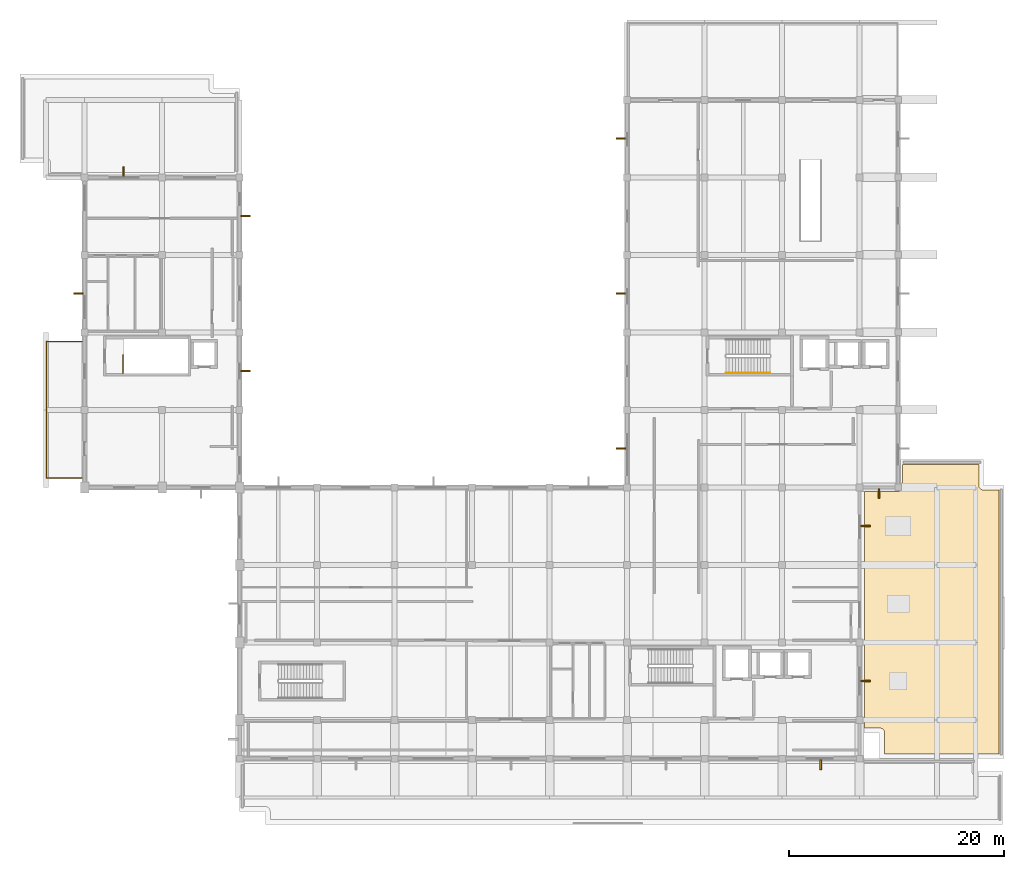
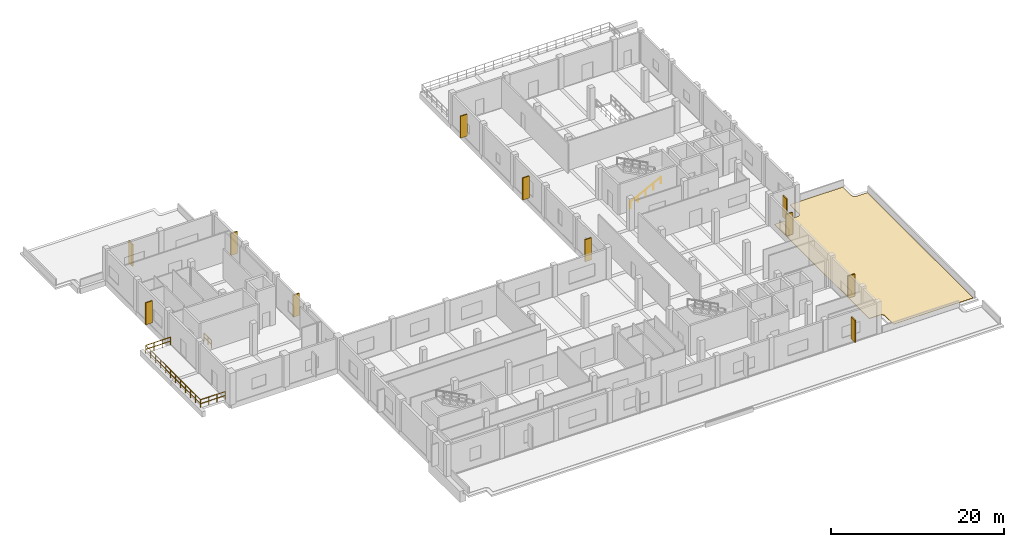
# One storey, part 14 of 16: 11 shading devices, 5 railings, 1 covering.
"""IFC4 building model written with IfcOpenShell, lengths in metres."""

from ifc_helpers import new_model, si_unit, direction, frame, origin, origin_2d, place, context, subcontext, project, spatial, polyline, rectangle, circle, outline, extrude, material, layer, layer_set, type_object, element, save


model = new_model("IFC4")

# Units and contexts
model_context = context("Model", 3, precision=1e-05, world=origin(), true_north=direction((0.0, 1.0)))
body_context = subcontext(model_context, "Body", "Model", "MODEL_VIEW")
ifc_project = project(units=[si_unit("LENGTHUNIT", "METRE"), si_unit("AREAUNIT", "SQUARE_METRE"), si_unit("VOLUMEUNIT", "CUBIC_METRE"), si_unit("PLANEANGLEUNIT", "RADIAN"), si_unit("MASSUNIT", "GRAM", prefix="KILO")], contexts=[model_context])

# Site, building, storey
site_placement = place(None, origin())
site = spatial("IfcSite", under=ifc_project, at=site_placement, CompositionType="ELEMENT")
building_placement = place(site_placement, origin())
building = spatial("IfcBuilding", under=site, at=building_placement, Name="Seraya Terrace Polytechnic", CompositionType="ELEMENT")
storey_placement = place(building_placement, frame((0.0, 0.0, 23.39990234375)))
storey = spatial("IfcBuildingStorey", under=building, at=storey_placement, Name="L05", CompositionType="ELEMENT", Elevation=23.39990234375)

# Shading devices
ifc_material_1 = material(Name="Precast concrete C40/50", Category="concrete")
shading_device_type = type_object("IfcShadingDeviceType", Name="BS-F1", PredefinedType="JALOUSIE", material=ifc_material_1)
for number, where, z_axis, x_axis, name in (
    (1, (97.199951171875, 3.0400390625, 0.449951171875), (0.0, 0.0, 1.0), (0.0, -1.0, 0.0), "Precast concrete brise-soleil fin L05"),
    (2, (78.639892578125, 32.39990234375, 0.449951171875), (0.0, 0.0, 1.0), (-1.0, 0.0, 0.0), "Precast concrete brise-soleil fin L05"),
    (3, (78.639892578125, 46.800048828125, 0.449951171875), (0.0, 0.0, 1.0), (-1.0, 0.0, 0.0), "Precast concrete brise-soleil fin L05"),
    (4, (78.639892578125, 61.199951171875, 0.449951171875), (0.0, 0.0, 1.0), (-1.0, 0.0, 0.0), "Precast concrete brise-soleil fin L05"),
    (5, (102.60009765625, 28.239990234375, 0.449951171875), (0.0, 0.0, 1.0), (0.0, -1.0, 0.0), "Precast concrete brise-soleil fin L05"),
    (6, (101.360107421875, 25.199951171875, 0.449951171875), (0.0, 0.0, 1.0), (1.0, 0.0, 0.0), "Precast concrete brise-soleil fin L05"),
    (7, (101.360107421875, 10.800048828125, 0.449951171875), (0.0, 0.0, 1.0), (1.0, 0.0, 0.0), "Precast concrete brise-soleil fin L05"),
    (8, (32.39990234375, 58.159912109375, 0.449951171875), (0.0, 0.0, 1.0), (0.0, 1.0, 0.0), "Precast concrete brise-soleil fin L05"),
    (9, (43.760009765625, 54.0, 0.449951171875), (0.0, 0.0, 1.0), (1.0, 0.0, 0.0), "Precast concrete brise-soleil fin L05"),
    (10, (43.760009765625, 39.60009765625, 0.449951171875), (0.0, 0.0, 1.0), (1.0, 0.0, 0.0), "Precast concrete brise-soleil fin L05"),
    (11, (28.239990234375, 46.800048828125, 0.449951171875), (0.0, 0.0, 1.0), (-1.0, 0.0, 0.0), "Precast concrete brise-soleil fin L05"),
):
    element("IfcShadingDevice", number, at=place(storey_placement, frame(where, z_axis=z_axis, x_axis=x_axis)), inside=storey, type_object=shading_device_type, Name=name, PredefinedType="JALOUSIE", context=body_context, shape_type="SweptSolid", body=[
        extrude(rectangle(XDim=0.89990234375, YDim=0.14990234375, at=origin_2d()), origin(), (0.0, 0.0, 1.0), 3.10009765625),
    ])

# Railings
ifc_material_2 = material(Name="Steel S355J2", Category="steel")
railing_type_1 = type_object("IfcRailingType", Name="GR-01", PredefinedType="GUARDRAIL", material=ifc_material_2)
railing_1_placement = place(storey_placement, frame((25.260009765625, 29.659912109375, 0.0)))
element("IfcRailing", 12, at=railing_1_placement, inside=storey, type_object=railing_type_1, Name="Terrace perimeter guardrail TERR-L05-W S1", PredefinedType="GUARDRAIL", context=body_context, shape_type="SweptSolid", body=[
    extrude(circle(Radius=0.02392578125, at=origin_2d()), frame((0.0, 0.0, 1.10595703125), z_axis=(1.0, 0.0, 0.0), x_axis=(0.0, 1.0, 0.0)), (0.0, 0.0, 1.0), 3.300048828125),
    extrude(circle(Radius=0.02392578125, at=origin_2d()), frame((0.0, 0.0, 0.550048828125), z_axis=(1.0, 0.0, 0.0), x_axis=(0.0, 1.0, 0.0)), (0.0, 0.0, 1.0), 3.300048828125),
    extrude(circle(Radius=0.02099609375, at=origin_2d()), origin(), (0.0, 0.0, 1.0), 1.081787109375),
    extrude(circle(Radius=0.02099609375, at=origin_2d()), frame((1.10009765625, 0.0, 0.0)), (0.0, 0.0, 1.0), 1.081787109375),
    extrude(circle(Radius=0.02099609375, at=origin_2d()), frame((2.199951171875, 0.0, 0.0)), (0.0, 0.0, 1.0), 1.081787109375),
    extrude(circle(Radius=0.02099609375, at=origin_2d()), frame((3.300048828125, 0.0, 0.0)), (0.0, 0.0, 1.0), 1.081787109375),
])
railing_2_placement = place(storey_placement, frame((28.56005859375, 42.340087890625, 0.0)))
element("IfcRailing", 13, at=railing_2_placement, inside=storey, type_object=railing_type_1, Name="Terrace perimeter guardrail TERR-L05-W N1", PredefinedType="GUARDRAIL", context=body_context, shape_type="SweptSolid", body=[
    extrude(circle(Radius=0.02392578125, at=origin_2d()), frame((0.0, 0.0, 1.10595703125), z_axis=(-1.0, 0.0, 0.0), x_axis=(0.0, -1.0, 0.0)), (0.0, 0.0, 1.0), 3.300048828125),
    extrude(circle(Radius=0.02392578125, at=origin_2d()), frame((0.0, 0.0, 0.550048828125), z_axis=(-1.0, 0.0, 0.0), x_axis=(0.0, -1.0, 0.0)), (0.0, 0.0, 1.0), 3.300048828125),
    extrude(circle(Radius=0.02099609375, at=origin_2d()), origin(), (0.0, 0.0, 1.0), 1.081787109375),
    extrude(circle(Radius=0.02099609375, at=origin_2d()), frame((-1.10009765625, 0.0, 0.0)), (0.0, 0.0, 1.0), 1.081787109375),
    extrude(circle(Radius=0.02099609375, at=origin_2d()), frame((-2.199951171875, 0.0, 0.0)), (0.0, 0.0, 1.0), 1.081787109375),
    extrude(circle(Radius=0.02099609375, at=origin_2d()), frame((-3.300048828125, 0.0, 0.0)), (0.0, 0.0, 1.0), 1.081787109375),
])
railing_3_placement = place(storey_placement, frame((25.260009765625, 42.340087890625, 0.0)))
element("IfcRailing", 14, at=railing_3_placement, inside=storey, type_object=railing_type_1, Name="Terrace perimeter guardrail TERR-L05-W W1", PredefinedType="GUARDRAIL", context=body_context, shape_type="SweptSolid", body=[
    extrude(circle(Radius=0.02392578125, at=origin_2d()), frame((0.0, 0.0, 1.10595703125), z_axis=(0.0, -1.0, 0.0), x_axis=(1.0, 0.0, 0.0)), (0.0, 0.0, 1.0), 12.68017578125),
    extrude(circle(Radius=0.02392578125, at=origin_2d()), frame((0.0, 0.0, 0.550048828125), z_axis=(0.0, -1.0, 0.0), x_axis=(1.0, 0.0, 0.0)), (0.0, 0.0, 1.0), 12.68017578125),
    extrude(circle(Radius=0.02099609375, at=origin_2d()), origin(), (0.0, 0.0, 1.0), 1.081787109375),
    extrude(circle(Radius=0.02099609375, at=origin_2d()), frame((0.0, -1.15283203125, 0.0)), (0.0, 0.0, 1.0), 1.081787109375),
    extrude(circle(Radius=0.02099609375, at=origin_2d()), frame((0.0, -2.305419921875, 0.0)), (0.0, 0.0, 1.0), 1.081787109375),
    extrude(circle(Radius=0.02099609375, at=origin_2d()), frame((0.0, -3.458251953125, 0.0)), (0.0, 0.0, 1.0), 1.081787109375),
    extrude(circle(Radius=0.02099609375, at=origin_2d()), frame((0.0, -4.611083984375, 0.0)), (0.0, 0.0, 1.0), 1.081787109375),
    extrude(circle(Radius=0.02099609375, at=origin_2d()), frame((0.0, -5.763671875, 0.0)), (0.0, 0.0, 1.0), 1.081787109375),
    extrude(circle(Radius=0.02099609375, at=origin_2d()), frame((0.0, -6.91650390625, 0.0)), (0.0, 0.0, 1.0), 1.081787109375),
    extrude(circle(Radius=0.02099609375, at=origin_2d()), frame((0.0, -8.069091796875, 0.0)), (0.0, 0.0, 1.0), 1.081787109375),
    extrude(circle(Radius=0.02099609375, at=origin_2d()), frame((0.0, -9.221923828125, 0.0)), (0.0, 0.0, 1.0), 1.081787109375),
    extrude(circle(Radius=0.02099609375, at=origin_2d()), frame((0.0, -10.374755859375, 0.0)), (0.0, 0.0, 1.0), 1.081787109375),
    extrude(circle(Radius=0.02099609375, at=origin_2d()), frame((0.0, -11.52734375, 0.0)), (0.0, 0.0, 1.0), 1.081787109375),
    extrude(circle(Radius=0.02099609375, at=origin_2d()), frame((0.0, -12.68017578125, 0.0)), (0.0, 0.0, 1.0), 1.081787109375),
])
railing_type_2 = type_object("IfcRailingType", Name="GR-02", PredefinedType="GUARDRAIL", material=ifc_material_2)
railing_4_placement = place(storey_placement, frame((32.35009765625, 39.39990234375, 0.0)))
element("IfcRailing", 15, at=railing_4_placement, inside=storey, type_object=railing_type_2, Name="L05 ST-04 top well guard 1", PredefinedType="GUARDRAIL", context=body_context, shape_type="SweptSolid", body=[
    extrude(circle(Radius=0.02392578125, at=origin_2d()), frame((0.0, 0.0, 1.10595703125), z_axis=(0.0, 1.0, 0.0), x_axis=(-1.0, 0.0, 0.0)), (0.0, 0.0, 1.0), 1.7001953125),
    extrude(circle(Radius=0.02392578125, at=origin_2d()), frame((0.0, 0.0, 0.550048828125), z_axis=(0.0, 1.0, 0.0), x_axis=(-1.0, 0.0, 0.0)), (0.0, 0.0, 1.0), 1.7001953125),
    extrude(circle(Radius=0.02099609375, at=origin_2d()), origin(), (0.0, 0.0, 1.0), 1.081787109375),
    extrude(circle(Radius=0.02099609375, at=origin_2d()), frame((0.0, 0.85009765625, 0.0)), (0.0, 0.0, 1.0), 1.081787109375),
    extrude(circle(Radius=0.02099609375, at=origin_2d()), frame((0.0, 1.7001953125, 0.0)), (0.0, 0.0, 1.0), 1.081787109375),
])
railing_type_3 = type_object("IfcRailingType", Name="HR-01", PredefinedType="HANDRAIL", material=ifc_material_2)
railing_5_placement = place(storey_placement, frame((88.39990234375, 39.449951171875, 0.150146484375)))
element("IfcRailing", 16, at=railing_5_placement, inside=storey, type_object=railing_type_3, Name="L05 ST-02 stair handrail 1", PredefinedType="HANDRAIL", context=body_context, shape_type="SweptSolid", body=[
    extrude(circle(Radius=0.02392578125, at=origin_2d()), frame((0.0, 0.0, 0.8759765625), z_axis=(0.888233425583, 0.0, 0.459392404897), x_axis=(0.0, 1.0, 0.0)), (0.0, 0.0, 1.0), 4.571044921875),
    extrude(circle(Radius=0.02099609375, at=origin_2d()), origin(), (0.0, 0.0, 1.0), 0.851806640625),
    extrude(circle(Radius=0.02099609375, at=origin_2d()), frame((1.01513671875, 0.0, 0.52490234375)), (0.0, 0.0, 1.0), 0.851806640625),
    extrude(circle(Radius=0.02099609375, at=origin_2d()), frame((2.030029296875, 0.0, 1.0498046875)), (0.0, 0.0, 1.0), 0.851806640625),
    extrude(circle(Radius=0.02099609375, at=origin_2d()), frame((3.044921875, 0.0, 1.574951171875)), (0.0, 0.0, 1.0), 0.851806640625),
    extrude(circle(Radius=0.02099609375, at=origin_2d()), frame((4.06005859375, 0.0, 2.099853515625)), (0.0, 0.0, 1.0), 0.851806640625),
])

# Covering
ifc_material_3 = material(Name="Insulated TPO waterproof roofing membrane")
ifc_layer = layer(ifc_material_3, 0.06005859375, Name="RF-C1")
ifc_layer_set = layer_set([ifc_layer], Name="Insulated TPO waterproof roofing membrane")
covering_type = type_object("IfcCoveringType", Name="RF-C1", PredefinedType="ROOFING", material=ifc_layer_set)
covering_placement = place(storey_placement, origin())
element("IfcCovering", 17, at=covering_placement, inside=storey, type_object=covering_type, Name="Waterproof TPO roof covering ROOF-L05-SE", PredefinedType="ROOFING", context=body_context, shape_type="SweptSolid", body=[
    extrude(outline(polyline([(111.8740234375, 30.949951171875), (111.8740234375, 29.0), (111.908203125, 28.827880859375), (111.97607421875, 28.714599609375), (112.11181640625, 28.60302734375), (112.27978515625, 28.55224609375), (113.75, 28.550048828125), (113.75, 4.05029296875), (103.1259765625, 4.0546875), (103.1259765625, 6.0), (103.091796875, 6.172119140625), (103.02392578125, 6.285400390625), (102.88818359375, 6.39697265625), (102.72021484375, 6.44775390625), (101.25, 6.449951171875), (101.25, 28.405029296875), (104.343017578125, 28.40576171875), (104.473388671875, 28.42529296875), (104.5927734375, 28.481689453125), (104.660888671875, 28.53759765625), (104.739501953125, 28.6435546875), (104.79052734375, 28.811279296875), (104.794677734375, 30.949951171875), (111.8740234375, 30.949951171875)])), origin(), (0.0, 0.0, 1.0), 0.06005859375),
])

save(model, "model.ifc")
